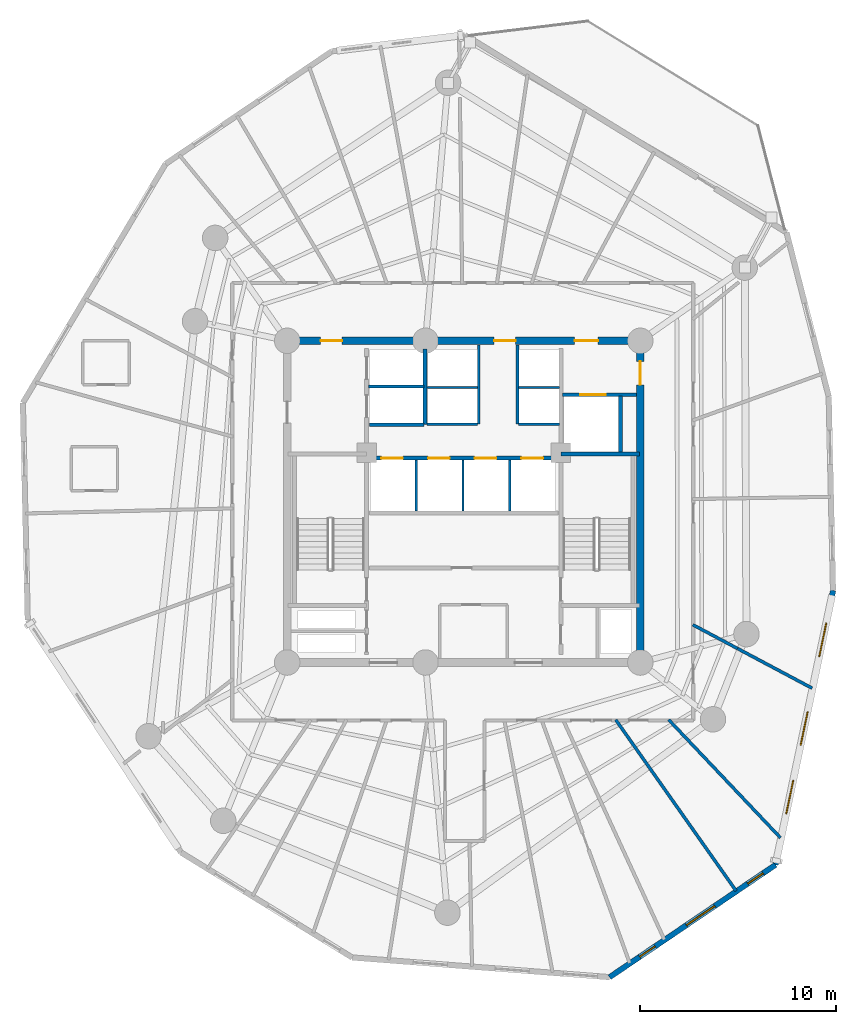
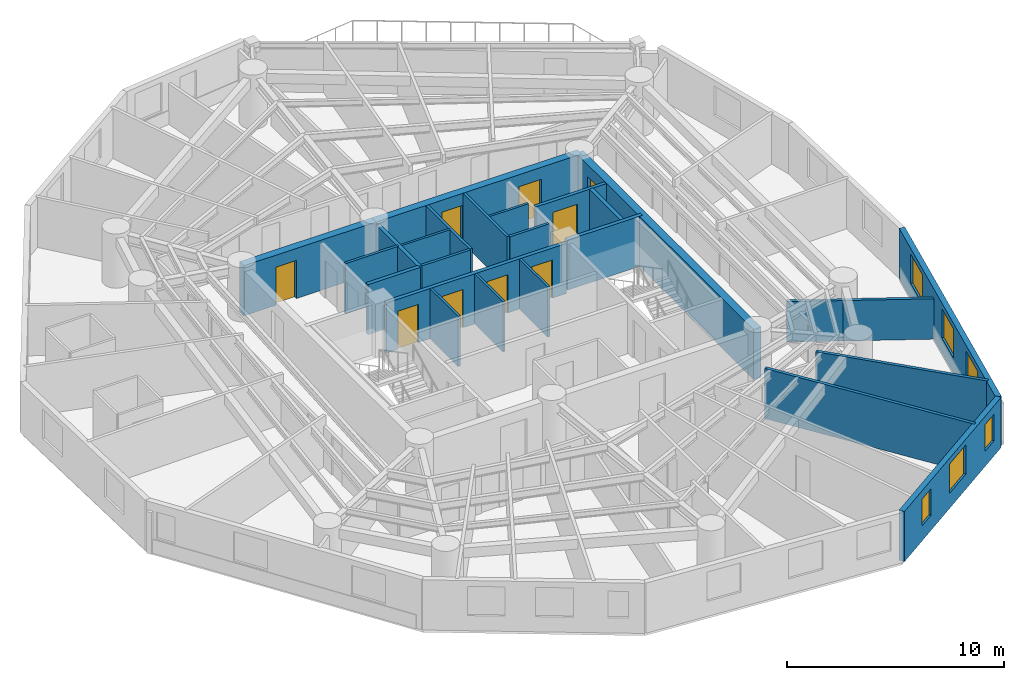
# One storey, part 5 of 9: 25 walls, 9 doors, 6 windows, 15 openings.
"""IFC4 building model written with IfcOpenShell, lengths in metres."""

from ifc_helpers import new_model, si_unit, direction, frame, frame_2d, origin, origin_with_axes, place, context, subcontext, project, spatial, rectangle, extrude, source, transform, mapped, material, layer, layer_set, type_object, element, fill, save


model = new_model("IFC4")

# Units and contexts
model_context = context("Model", 3, precision=1e-05, world=origin(), true_north=direction((0.0, 1.0)))
body_context = subcontext(model_context, "Body", "Model", "MODEL_VIEW")
ifc_project = project(units=[si_unit("LENGTHUNIT", "METRE"), si_unit("AREAUNIT", "SQUARE_METRE"), si_unit("VOLUMEUNIT", "CUBIC_METRE"), si_unit("PLANEANGLEUNIT", "RADIAN"), si_unit("MASSUNIT", "GRAM", prefix="KILO")], contexts=[model_context])

# Site, building, storey
site_placement = place(None, origin())
site = spatial("IfcSite", under=ifc_project, at=site_placement, CompositionType="ELEMENT")
building_placement = place(site_placement, origin())
building = spatial("IfcBuilding", under=site, at=building_placement, Name="Karkom Vertical University and Central Library", CompositionType="ELEMENT")
storey_placement = place(building_placement, frame((0.0, 0.0, 190.10009765625)))
storey = spatial("IfcBuildingStorey", under=building, at=storey_placement, Name="L55", CompositionType="ELEMENT", Elevation=190.10009765625)

# Wall, openings, windows
ifc_material_1 = material(Name="Brick-faced precast concrete C45/55", Category="masonry")
ifc_layer_1 = layer(ifc_material_1, 0.280029296875)
ifc_layer_set_1 = layer_set([ifc_layer_1], Name="Brick-faced precast concrete C45/55")
wall_type_1 = type_object("IfcWallType", Name="ENV-WL-BRK-280", PredefinedType="SOLIDWALL", material=ifc_layer_set_1)
wall_1_placement = place(storey_placement, frame((35.930419921875, 2.2578125, 0.0), z_axis=(0.0, 0.0, 1.0), x_axis=(0.828047519761, 0.560657921569, 0.0)))
wall_1 = element("IfcWall", 1, at=wall_1_placement, inside=storey, type_object=wall_type_1, Name="Level 55 Brick-Faced Precast Facade Wall 04", PredefinedType="SOLIDWALL", context=body_context, shape_type="SweptSolid", body=[
    extrude(rectangle(XDim=10.217041015625, YDim=0.280029296875, at=frame_2d((5.1083984375, 0.0))), origin(), (0.0, 0.0, 1.0), 2.824951171875),
])
opening_1_placement = place(wall_1_placement, frame((1.85546875, 0.0, 0.85009765625)))
opening_1 = element("IfcOpeningElement", 2, at=opening_1_placement, cuts=wall_1, Name="Opening WN-12", PredefinedType="OPENING", context=body_context, shape_type="SweptSolid", body=[
    extrude(rectangle(XDim=0.949951171875, YDim=1.5, at=frame_2d((0.47509765625, 0.75))), frame((0.0, 0.14990234375, 0.0), z_axis=(0.0, -1.0, 0.0), x_axis=(1.0, 0.0, 0.0)), (0.0, 0.0, 1.0), 0.300048828125),
])
opening_2_placement = place(wall_1_placement, frame((4.72802734375, 0.0, 0.85009765625)))
opening_2 = element("IfcOpeningElement", 3, at=opening_2_placement, cuts=wall_1, Name="Opening WN-08", PredefinedType="OPENING", context=body_context, shape_type="SweptSolid", body=[
    extrude(rectangle(XDim=1.75, YDim=1.64990234375, at=frame_2d((0.875, 0.824951171875))), frame((0.0, 0.14990234375, 0.0), z_axis=(0.0, -1.0, 0.0), x_axis=(1.0, 0.0, 0.0)), (0.0, 0.0, 1.0), 0.300048828125),
])
opening_3_placement = place(wall_1_placement, frame((8.508544921875, 0.0, 0.85009765625)))
opening_3 = element("IfcOpeningElement", 4, at=opening_3_placement, cuts=wall_1, Name="Opening WN-12", PredefinedType="OPENING", context=body_context, shape_type="SweptSolid", body=[
    extrude(rectangle(XDim=0.949951171875, YDim=1.5, at=frame_2d((0.47509765625, 0.75))), frame((0.0, 0.14990234375, 0.0), z_axis=(0.0, -1.0, 0.0), x_axis=(1.0, 0.0, 0.0)), (0.0, 0.0, 1.0), 0.300048828125),
])
ifc_material_2 = material(Name="Aluminium thermal-break frame with solar-control IGU", Category="aluminium")
window_type_1 = type_object("IfcWindowType", Name="ENV-WIN-WN-12", PartitioningType="SINGLE_PANEL", PredefinedType="WINDOW", material=ifc_material_2)
shared_shape_1 = source(origin_with_axes(), body_context, "Body", "SweptSolid", [
    extrude(rectangle(XDim=0.949951171875, YDim=1.5, at=frame_2d((0.47509765625, 0.75))), frame((0.0, 0.030029296875, 0.0), z_axis=(0.0, -1.0, 0.0), x_axis=(1.0, 0.0, 0.0)), (0.0, 0.0, 1.0), 0.06005859375),
])
window_1_placement = place(opening_1_placement, origin())
window_1 = element("IfcWindow", 5, at=window_1_placement, inside=storey, type_object=window_type_1, Name="Level 55 Punched Window 4.1", OverallHeight=1.5, OverallWidth=0.949951171875, PartitioningType="SINGLE_PANEL", PredefinedType="WINDOW", context=body_context, shape_type="MappedRepresentation", body=[
    mapped(shared_shape_1, transform((0.0, 0.0, 0.0), scale=1.0)),
])
fill(opening_1, window_1)
window_2_placement = place(opening_3_placement, origin())
window_2 = element("IfcWindow", 6, at=window_2_placement, inside=storey, type_object=window_type_1, Name="Level 55 Punched Window 4.3", OverallHeight=1.5, OverallWidth=0.949951171875, PartitioningType="SINGLE_PANEL", PredefinedType="WINDOW", context=body_context, shape_type="MappedRepresentation", body=[
    mapped(shared_shape_1, transform((0.0, 0.0, 0.0), scale=1.0)),
])
fill(opening_3, window_2)
window_type_2 = type_object("IfcWindowType", Name="ENV-WIN-WN-08", PartitioningType="SINGLE_PANEL", PredefinedType="WINDOW", material=ifc_material_2)
shared_shape_2 = source(origin_with_axes(), body_context, "Body", "SweptSolid", [
    extrude(rectangle(XDim=1.75, YDim=1.64990234375, at=frame_2d((0.875, 0.824951171875))), frame((0.0, 0.030029296875, 0.0), z_axis=(0.0, -1.0, 0.0), x_axis=(1.0, 0.0, 0.0)), (0.0, 0.0, 1.0), 0.06005859375),
])
window_3_placement = place(opening_2_placement, origin())
window_3 = element("IfcWindow", 7, at=window_3_placement, inside=storey, type_object=window_type_2, Name="Level 55 Punched Window 4.2", OverallHeight=1.64990234375, OverallWidth=1.75, PartitioningType="SINGLE_PANEL", PredefinedType="WINDOW", context=body_context, shape_type="MappedRepresentation", body=[
    mapped(shared_shape_2, transform((0.0, 0.0, 0.0), scale=1.0)),
])
fill(opening_2, window_3)

wall_2_placement = place(storey_placement, frame((44.390625, 7.986083984375, 0.0), z_axis=(0.0, 0.0, 1.0), x_axis=(0.205520669539, 0.978652775193, 0.0)))
wall_2 = element("IfcWall", 8, at=wall_2_placement, inside=storey, type_object=wall_type_1, Name="Level 55 Brick-Faced Precast Facade Wall 05", PredefinedType="SOLIDWALL", context=body_context, shape_type="SweptSolid", body=[
    extrude(rectangle(XDim=14.294189453125, YDim=0.280029296875, at=frame_2d((7.14697265625, 0.0))), origin(), (0.0, 0.0, 1.0), 2.824951171875),
])
opening_4_placement = place(wall_2_placement, frame((2.654052734375, 0.0, 0.85009765625)))
opening_4 = element("IfcOpeningElement", 9, at=opening_4_placement, cuts=wall_2, Name="Opening WN-08", PredefinedType="OPENING", context=body_context, shape_type="SweptSolid", body=[
    extrude(rectangle(XDim=1.75, YDim=1.64990234375, at=frame_2d((0.875, 0.824951171875))), frame((0.0, 0.14990234375, 0.0), z_axis=(0.0, -1.0, 0.0), x_axis=(1.0, 0.0, 0.0)), (0.0, 0.0, 1.0), 0.300048828125),
])
opening_5_placement = place(wall_2_placement, frame((6.226318359375, 0.0, 0.85009765625)))
opening_5 = element("IfcOpeningElement", 10, at=opening_5_placement, cuts=wall_2, Name="Opening WN-08", PredefinedType="OPENING", context=body_context, shape_type="SweptSolid", body=[
    extrude(rectangle(XDim=1.75, YDim=1.64990234375, at=frame_2d((0.875, 0.824951171875))), frame((0.0, 0.14990234375, 0.0), z_axis=(0.0, -1.0, 0.0), x_axis=(1.0, 0.0, 0.0)), (0.0, 0.0, 1.0), 0.300048828125),
])
opening_6_placement = place(wall_2_placement, frame((10.845703125, 0.0, 0.85009765625)))
opening_6 = element("IfcOpeningElement", 11, at=opening_6_placement, cuts=wall_2, Name="Opening WN-08", PredefinedType="OPENING", context=body_context, shape_type="SweptSolid", body=[
    extrude(rectangle(XDim=1.75, YDim=1.64990234375, at=frame_2d((0.875, 0.824951171875))), frame((0.0, 0.14990234375, 0.0), z_axis=(0.0, -1.0, 0.0), x_axis=(1.0, 0.0, 0.0)), (0.0, 0.0, 1.0), 0.300048828125),
])
window_4_placement = place(opening_4_placement, origin())
window_4 = element("IfcWindow", 12, at=window_4_placement, inside=storey, type_object=window_type_2, Name="Level 55 Punched Window 5.1", OverallHeight=1.64990234375, OverallWidth=1.75, PartitioningType="SINGLE_PANEL", PredefinedType="WINDOW", context=body_context, shape_type="MappedRepresentation", body=[
    mapped(shared_shape_2, transform((0.0, 0.0, 0.0), scale=1.0)),
])
fill(opening_4, window_4)
window_5_placement = place(opening_5_placement, origin())
window_5 = element("IfcWindow", 13, at=window_5_placement, inside=storey, type_object=window_type_2, Name="Level 55 Punched Window 5.2", OverallHeight=1.64990234375, OverallWidth=1.75, PartitioningType="SINGLE_PANEL", PredefinedType="WINDOW", context=body_context, shape_type="MappedRepresentation", body=[
    mapped(shared_shape_2, transform((0.0, 0.0, 0.0), scale=1.0)),
])
fill(opening_5, window_5)
window_6_placement = place(opening_6_placement, origin())
window_6 = element("IfcWindow", 14, at=window_6_placement, inside=storey, type_object=window_type_2, Name="Level 55 Punched Window 5.3", OverallHeight=1.64990234375, OverallWidth=1.75, PartitioningType="SINGLE_PANEL", PredefinedType="WINDOW", context=body_context, shape_type="MappedRepresentation", body=[
    mapped(shared_shape_2, transform((0.0, 0.0, 0.0), scale=1.0)),
])
fill(opening_6, window_6)

# Walls
ifc_material_3 = material(Name="Insulated metal-stud drywall 160mm", Category="gypsum")
ifc_layer_2 = layer(ifc_material_3, 0.159912109375)
ifc_layer_set_2 = layer_set([ifc_layer_2], Name="Insulated metal-stud drywall 160mm")
wall_type_2 = type_object("IfcWallType", Name="INT-WL-COR-160", PredefinedType="PARTITIONING", material=ifc_layer_set_2)
wall_3_placement = place(storey_placement, frame((36.243896484375, 15.38671875, 0.0), z_axis=(0.0, 0.0, 1.0), x_axis=(0.575352301444, -0.817905697023, 0.0)))
element("IfcWall", 15, at=wall_3_placement, inside=storey, type_object=wall_type_2, Name="Level 55 Interior Partition Wall L55-PW-015", PredefinedType="PARTITIONING", context=body_context, shape_type="SweptSolid", body=[
    extrude(rectangle(XDim=10.67236328125, YDim=0.159912109375, at=frame_2d((5.336181640625, 0.0))), origin(), (0.0, 0.0, 1.0), 2.824951171875),
])
wall_4_placement = place(storey_placement, frame((38.94580078125, 15.3828125, 0.0), z_axis=(0.0, 0.0, 1.0), x_axis=(0.687604884765, -0.726085065572, 0.0)))
element("IfcWall", 16, at=wall_4_placement, inside=storey, type_object=wall_type_2, Name="Level 55 Interior Partition Wall L55-PW-016", PredefinedType="PARTITIONING", context=body_context, shape_type="SweptSolid", body=[
    extrude(rectangle(XDim=8.2861328125, YDim=0.159912109375, at=frame_2d((4.14306640625, 0.0))), origin(), (0.0, 0.0, 1.0), 2.824951171875),
])
wall_5_placement = place(storey_placement, frame((42.462158203125, 19.009033203125, 0.0), z_axis=(0.0, 0.0, 1.0), x_axis=(0.882970667498, -0.469428163128, 0.0)))
element("IfcWall", 17, at=wall_5_placement, inside=storey, type_object=wall_type_2, Name="Level 55 Interior Partition Wall L55-PW-018", PredefinedType="PARTITIONING", context=body_context, shape_type="SweptSolid", body=[
    extrude(rectangle(XDim=4.294189453125, YDim=0.159912109375, at=frame_2d((2.14697265625, 0.0))), origin(), (0.0, 0.0, 1.0), 2.27490234375),
])
wall_6_placement = place(storey_placement, frame((40.173583984375, 20.225830078125, 0.0), z_axis=(0.0, 0.0, 1.0), x_axis=(0.882934818084, -0.469495587855, 0.0)))
element("IfcWall", 18, at=wall_6_placement, inside=storey, type_object=wall_type_2, Name="Level 55 Interior Partition Wall L55-PW-017", PredefinedType="PARTITIONING", context=body_context, shape_type="SweptSolid", body=[
    extrude(rectangle(XDim=2.5869140625, YDim=0.159912109375, at=frame_2d((1.29345703125, 0.0))), origin(), (0.0, 0.0, 1.0), 2.27490234375),
])
ifc_material_4 = material(Name="Moisture-resistant drywall 120mm", Category="gypsum")
ifc_layer_3 = layer(ifc_material_4, 0.1201171875)
ifc_layer_set_3 = layer_set([ifc_layer_3], Name="Moisture-resistant drywall 120mm")
wall_type_3 = type_object("IfcWallType", Name="INT-WL-INT-120H", PredefinedType="PARTITIONING", material=ifc_layer_set_3)
for number, where, z_axis, x_axis, name in (
    (19, (26.080078125, 26.02001953125, 0.0), (0.0, 0.0, 1.0), (0.0, 1.0, 0.0), "Level 55 Interior Partition Wall L55-CW-PM-DIV1"),
    (20, (28.4599609375, 26.02001953125, 0.0), (0.0, 0.0, 1.0), (0.0, 1.0, 0.0), "Level 55 Interior Partition Wall L55-CW-PM-DIV2"),
    (21, (30.840087890625, 26.02001953125, 0.0), (0.0, 0.0, 1.0), (0.0, 1.0, 0.0), "Level 55 Interior Partition Wall L55-CW-PM-DIV3"),
):
    element("IfcWall", number, at=place(storey_placement, frame(where, z_axis=z_axis, x_axis=x_axis)), inside=storey, type_object=wall_type_3, Name=name, PredefinedType="PARTITIONING", context=body_context, shape_type="SweptSolid", body=[
        extrude(rectangle(XDim=2.60009765625, YDim=0.1201171875, at=frame_2d((1.300048828125, 0.0))), origin(), (0.0, 0.0, 1.0), 2.824951171875),
    ])
wall_7_placement = place(storey_placement, frame((26.6201171875, 32.320068359375, 0.0), z_axis=(0.0, 0.0, 1.0), x_axis=(1.0, 0.0, 0.0)))
element("IfcWall", 22, at=wall_7_placement, inside=storey, type_object=wall_type_3, Name="Level 55 Interior Partition Wall L55-CW-PH-MW", PredefinedType="PARTITIONING", context=body_context, shape_type="SweptSolid", body=[
    extrude(rectangle(XDim=2.579833984375, YDim=0.1201171875, at=frame_2d((1.2900390625, 0.0))), origin(), (0.0, 0.0, 1.0), 2.824951171875),
])
wall_8_placement = place(storey_placement, frame((31.300048828125, 32.320068359375, 0.0), z_axis=(0.0, 0.0, 1.0), x_axis=(1.0, 0.0, 0.0)))
element("IfcWall", 23, at=wall_8_placement, inside=storey, type_object=wall_type_3, Name="Level 55 Interior Partition Wall L55-CW-PH-ME", PredefinedType="PARTITIONING", context=body_context, shape_type="SweptSolid", body=[
    extrude(rectangle(XDim=2.074951171875, YDim=0.1201171875, at=frame_2d((1.03759765625, 0.0))), origin(), (0.0, 0.0, 1.0), 2.824951171875),
])
ifc_material_5 = material(Name="Metal-stud gypsum partition 140mm", Category="gypsum")
ifc_layer_4 = layer(ifc_material_5, 0.139892578125)
ifc_layer_set_4 = layer_set([ifc_layer_4], Name="Metal-stud gypsum partition 140mm")
wall_type_4 = type_object("IfcWallType", Name="INT-WL-SUB-140H", PredefinedType="PARTITIONING", material=ifc_layer_set_4)
for number, where, z_axis, x_axis, name in (
    (24, (29.260009765625, 30.449951171875, 0.0), (0.0, 0.0, 1.0), (0.0, 1.0, 0.0), "Level 55 Interior Partition Wall L55-CW-PH-W"),
    (25, (31.239990234375, 30.449951171875, 0.0), (0.0, 0.0, 1.0), (0.0, 1.0, 0.0), "Level 55 Interior Partition Wall L55-CW-PH-E"),
):
    element("IfcWall", number, at=place(storey_placement, frame(where, z_axis=z_axis, x_axis=x_axis)), inside=storey, type_object=wall_type_4, Name=name, PredefinedType="PARTITIONING", context=body_context, shape_type="SweptSolid", body=[
        extrude(rectangle(XDim=4.04296875, YDim=0.139892578125, at=frame_2d((2.021484375, 0.0))), origin(), (0.0, 0.0, 1.0), 2.824951171875),
    ])
wall_9_placement = place(storey_placement, frame((26.6201171875, 30.449951171875, 0.0), z_axis=(0.0, 0.0, 1.0), x_axis=(1.0, 0.0, 0.0)))
element("IfcWall", 26, at=wall_9_placement, inside=storey, type_object=wall_type_4, Name="Level 55 Interior Partition Wall L55-CW-PH-S1", PredefinedType="PARTITIONING", context=body_context, shape_type="SweptSolid", body=[
    extrude(rectangle(XDim=2.579833984375, YDim=0.139892578125, at=frame_2d((1.2900390625, 0.0))), origin(), (0.0, 0.0, 1.0), 2.824951171875),
])
wall_10_placement = place(storey_placement, frame((31.300048828125, 30.449951171875, 0.0), z_axis=(0.0, 0.0, 1.0), x_axis=(1.0, 0.0, 0.0)))
element("IfcWall", 27, at=wall_10_placement, inside=storey, type_object=wall_type_4, Name="Level 55 Interior Partition Wall L55-CW-PH-S2", PredefinedType="PARTITIONING", context=body_context, shape_type="SweptSolid", body=[
    extrude(rectangle(XDim=2.074951171875, YDim=0.139892578125, at=frame_2d((1.03759765625, 0.0))), origin(), (0.0, 0.0, 1.0), 2.824951171875),
])
ifc_layer_5 = layer(ifc_material_5, 0.139892578125)
ifc_layer_set_5 = layer_set([ifc_layer_5], Name="Metal-stud gypsum partition 140mm")
wall_type_5 = type_object("IfcWallType", Name="INT-WL-SUB-140X", PredefinedType="PARTITIONING", material=ifc_layer_set_5)
wall_11_placement = place(storey_placement, frame((23.652099609375, 32.3701171875, 0.0), z_axis=(0.0, 0.0, 1.0), x_axis=(1.0, 0.0, 0.0)))
element("IfcWall", 28, at=wall_11_placement, inside=storey, type_object=wall_type_5, Name="Level 55 Interior Partition Wall L55-CW-FFL-M", PredefinedType="PARTITIONING", context=body_context, shape_type="SweptSolid", body=[
    extrude(rectangle(XDim=2.827880859375, YDim=0.139892578125, at=frame_2d((1.4140625, 0.0))), origin(), (0.0, 0.0, 1.0), 2.824951171875),
])

# Wall, opening, door
ifc_material_6 = material(Name="Twin-stud acoustic drywall 180mm", Category="gypsum")
ifc_layer_6 = layer(ifc_material_6, 0.179931640625)
ifc_layer_set_6 = layer_set([ifc_layer_6], Name="Twin-stud acoustic drywall 180mm")
wall_type_6 = type_object("IfcWallType", Name="INT-WL-TEN-180F", PredefinedType="PARTITIONING", material=ifc_layer_set_6)
wall_12_placement = place(storey_placement, frame((33.534912109375, 31.949951171875, 0.0), z_axis=(0.0, 0.0, 1.0), x_axis=(1.0, 0.0, 0.0)))
wall_12 = element("IfcWall", 29, at=wall_12_placement, inside=storey, type_object=wall_type_6, Name="Level 55 Interior Partition Wall L55-CW-SVL-N", PredefinedType="PARTITIONING", context=body_context, shape_type="SweptSolid", body=[
    extrude(rectangle(XDim=3.7587890625, YDim=0.179931640625, at=frame_2d((1.87939453125, 0.0))), origin(), (0.0, 0.0, 1.0), 2.824951171875),
])
opening_7_placement = place(wall_12_placement, frame((0.89990234375, 0.0, 0.0)))
opening_7 = element("IfcOpeningElement", 30, at=opening_7_placement, cuts=wall_12, Name="Opening LD-SV1", PredefinedType="OPENING", context=body_context, shape_type="SweptSolid", body=[
    extrude(rectangle(XDim=1.300048828125, YDim=2.199951171875, at=frame_2d((0.64990234375, 1.10009765625))), frame((0.0, 0.10009765625, 0.0), z_axis=(0.0, -1.0, 0.0), x_axis=(1.0, 0.0, 0.0)), (0.0, 0.0, 1.0), 0.199951171875),
])
ifc_material_7 = material(Name="Brushed stainless-steel landing door", Category="steel")
door_type_1 = type_object("IfcDoorType", Name="INT-DR-LD-SV1", OperationType="SLIDING_TO_LEFT", PredefinedType="DOOR", material=ifc_material_7)
shared_shape_3 = source(origin_with_axes(), body_context, "Body", "SweptSolid", [
    extrude(rectangle(XDim=1.300048828125, YDim=2.199951171875, at=frame_2d((0.64990234375, 1.10009765625))), frame((0.0, 0.02490234375, 0.0), z_axis=(0.0, -1.0, 0.0), x_axis=(1.0, 0.0, 0.0)), (0.0, 0.0, 1.0), 0.050048828125),
])
door_1_placement = place(opening_7_placement, origin())
door_1 = element("IfcDoor", 31, at=door_1_placement, inside=storey, type_object=door_type_1, Name="Level 55 Service Lift Landing Door LD-SV1", OperationType="SLIDING_TO_LEFT", OverallHeight=2.199951171875, OverallWidth=1.300048828125, PredefinedType="DOOR", context=body_context, shape_type="MappedRepresentation", body=[
    mapped(shared_shape_3, transform((0.0, 0.0, 0.0), scale=1.0)),
])
fill(opening_7, door_1)

ifc_material_8 = material(Name="Concrete C50/60", Category="concrete")
ifc_layer_7 = layer(ifc_material_8, 0.39990234375)
ifc_layer_set_7 = layer_set([ifc_layer_7], Name="Concrete C50/60")
wall_type_7 = type_object("IfcWallType", Name="STR-WL-CW-400", PredefinedType="SHEAR", material=ifc_layer_set_7)
wall_13_placement = place(storey_placement, frame((37.5, 18.300048828125, 0.0), z_axis=(0.0, 0.0, 1.0), x_axis=(0.0, 1.0, 0.0)))
wall_13 = element("IfcWall", 32, at=wall_13_placement, inside=storey, type_object=wall_type_7, Name="Level 55 Central Core Shear Wall EW", PredefinedType="SHEAR", context=body_context, shape_type="SweptSolid", body=[
    extrude(rectangle(XDim=16.39990234375, YDim=0.39990234375, at=frame_2d((8.199951171875, 0.0))), origin(), (0.0, 0.0, 1.0), 2.824951171875),
])
opening_8_placement = place(wall_13_placement, frame((14.14990234375, 0.0, 0.0)))
opening_8 = element("IfcOpeningElement", 33, at=opening_8_placement, cuts=wall_13, Name="Opening FD-SUB1", PredefinedType="OPENING", context=body_context, shape_type="SweptSolid", body=[
    extrude(rectangle(XDim=1.199951171875, YDim=2.14990234375, at=frame_2d((0.60009765625, 1.074951171875))), frame((0.0, 0.2099609375, 0.0), z_axis=(0.0, -1.0, 0.0), x_axis=(1.0, 0.0, 0.0)), (0.0, 0.0, 1.0), 0.419921875),
])
ifc_material_9 = material(Name="Painted steel fire door", Category="steel")
door_type_2 = type_object("IfcDoorType", Name="INT-DR-SUB1", OperationType="NOTDEFINED", PredefinedType="DOOR", material=ifc_material_9)
shared_shape_4 = source(origin_with_axes(), body_context, "Body", "SweptSolid", [
    extrude(rectangle(XDim=1.199951171875, YDim=2.14990234375, at=frame_2d((0.60009765625, 1.074951171875))), frame((0.0, 0.02490234375, 0.0), z_axis=(0.0, -1.0, 0.0), x_axis=(1.0, 0.0, 0.0)), (0.0, 0.0, 1.0), 0.050048828125),
])
door_2_placement = place(opening_8_placement, origin())
door_2 = element("IfcDoor", 34, at=door_2_placement, inside=storey, type_object=door_type_2, Name="Level 55 East Corridor Service Lobby Door", OperationType="SINGLE_SWING_RIGHT", OverallHeight=2.14990234375, OverallWidth=1.199951171875, PredefinedType="DOOR", context=body_context, shape_type="MappedRepresentation", body=[
    mapped(shared_shape_4, transform((0.0, 0.0, 0.0), scale=1.0)),
])
fill(opening_8, door_2)

# Wall, openings, doors
wall_14_placement = place(storey_placement, frame((37.5, 34.699951171875, 0.0), z_axis=(0.0, 0.0, 1.0), x_axis=(-1.0, 0.0, 0.0)))
wall_14 = element("IfcWall", 35, at=wall_14_placement, inside=storey, type_object=wall_type_7, Name="Level 55 Central Core Shear Wall NW1", PredefinedType="SHEAR", context=body_context, shape_type="SweptSolid", body=[
    extrude(rectangle(XDim=10.949951171875, YDim=0.39990234375, at=frame_2d((5.47509765625, 0.0))), origin(), (0.0, 0.0, 1.0), 2.824951171875),
])
opening_9_placement = place(wall_14_placement, frame((2.14990234375, 0.0, 0.0)))
opening_9 = element("IfcOpeningElement", 36, at=opening_9_placement, cuts=wall_14, Name="Opening FD-SUB1", PredefinedType="OPENING", context=body_context, shape_type="SweptSolid", body=[
    extrude(rectangle(XDim=1.199951171875, YDim=2.14990234375, at=frame_2d((0.60009765625, 1.074951171875))), frame((0.0, 0.2099609375, 0.0), z_axis=(0.0, -1.0, 0.0), x_axis=(1.0, 0.0, 0.0)), (0.0, 0.0, 1.0), 0.419921875),
])
opening_10_placement = place(wall_14_placement, frame((6.35009765625, 0.0, 0.0)))
opening_10 = element("IfcOpeningElement", 37, at=opening_10_placement, cuts=wall_14, Name="Opening FD-FFL", PredefinedType="OPENING", context=body_context, shape_type="SweptSolid", body=[
    extrude(rectangle(XDim=1.10009765625, YDim=2.14990234375, at=frame_2d((0.550048828125, 1.074951171875))), frame((0.0, 0.2099609375, 0.0), z_axis=(0.0, -1.0, 0.0), x_axis=(1.0, 0.0, 0.0)), (0.0, 0.0, 1.0), 0.419921875),
])
ifc_material_10 = material(Name="Painted steel smoke-seal fire door", Category="steel")
door_type_3 = type_object("IfcDoorType", Name="INT-DR-FFL", OperationType="NOTDEFINED", PredefinedType="DOOR", material=ifc_material_10)
shared_shape_5 = source(origin_with_axes(), body_context, "Body", "SweptSolid", [
    extrude(rectangle(XDim=1.10009765625, YDim=2.14990234375, at=frame_2d((0.550048828125, 1.074951171875))), frame((0.0, 0.02490234375, 0.0), z_axis=(0.0, -1.0, 0.0), x_axis=(1.0, 0.0, 0.0)), (0.0, 0.0, 1.0), 0.050048828125),
])
door_3_placement = place(opening_10_placement, origin())
door_3 = element("IfcDoor", 38, at=door_3_placement, inside=storey, type_object=door_type_3, Name="Level 55 North Core Lobby Exit Door", OperationType="SINGLE_SWING_LEFT", OverallHeight=2.14990234375, OverallWidth=1.10009765625, PredefinedType="DOOR", context=body_context, shape_type="MappedRepresentation", body=[
    mapped(shared_shape_5, transform((0.0, 0.0, 0.0), scale=1.0)),
])
fill(opening_10, door_3)
door_4_placement = place(opening_9_placement, origin())
door_4 = element("IfcDoor", 39, at=door_4_placement, inside=storey, type_object=door_type_2, Name="Level 55 Service Lobby Fire Door", OperationType="SINGLE_SWING_LEFT", OverallHeight=2.14990234375, OverallWidth=1.199951171875, PredefinedType="DOOR", context=body_context, shape_type="MappedRepresentation", body=[
    mapped(shared_shape_4, transform((0.0, 0.0, 0.0), scale=1.0)),
])
fill(opening_9, door_4)

# Wall, opening, door
wall_15_placement = place(storey_placement, frame((26.550048828125, 34.699951171875, 0.0), z_axis=(0.0, 0.0, 1.0), x_axis=(-1.0, 0.0, 0.0)))
wall_15 = element("IfcWall", 40, at=wall_15_placement, inside=storey, type_object=wall_type_7, Name="Level 55 Central Core Shear Wall NW2", PredefinedType="SHEAR", context=body_context, shape_type="SweptSolid", body=[
    extrude(rectangle(XDim=7.050048828125, YDim=0.39990234375, at=frame_2d((3.52490234375, 0.0))), origin(), (0.0, 0.0, 1.0), 2.824951171875),
])
opening_11_placement = place(wall_15_placement, frame((4.25, 0.0, 0.0)))
opening_11 = element("IfcOpeningElement", 41, at=opening_11_placement, cuts=wall_15, Name="Opening FD-FFL", PredefinedType="OPENING", context=body_context, shape_type="SweptSolid", body=[
    extrude(rectangle(XDim=1.10009765625, YDim=2.14990234375, at=frame_2d((0.550048828125, 1.074951171875))), frame((0.0, 0.2099609375, 0.0), z_axis=(0.0, -1.0, 0.0), x_axis=(1.0, 0.0, 0.0)), (0.0, 0.0, 1.0), 0.419921875),
])
door_5_placement = place(opening_11_placement, origin())
door_5 = element("IfcDoor", 42, at=door_5_placement, inside=storey, type_object=door_type_3, Name="Level 55 Firefighting Lobby Door", OperationType="SINGLE_SWING_RIGHT", OverallHeight=2.14990234375, OverallWidth=1.10009765625, PredefinedType="DOOR", context=body_context, shape_type="MappedRepresentation", body=[
    mapped(shared_shape_5, transform((0.0, 0.0, 0.0), scale=1.0)),
])
fill(opening_11, door_5)

# Wall, openings, doors
ifc_material_11 = material(Name="Concrete C45/55", Category="concrete")
ifc_layer_8 = layer(ifc_material_11, 0.199951171875)
ifc_layer_set_8 = layer_set([ifc_layer_8], Name="Concrete C45/55")
wall_type_8 = type_object("IfcWallType", Name="STR-WL-ST-200", PredefinedType="SHEAR", material=ifc_layer_set_8)
wall_16_placement = place(storey_placement, frame((23.699951171875, 28.719970703125, 0.0), z_axis=(0.0, 0.0, 1.0), x_axis=(1.0, 0.0, 0.0)))
wall_16 = element("IfcWall", 43, at=wall_16_placement, inside=storey, type_object=wall_type_8, Name="Level 55 Core Shaft Wall L55-CW-B2-N", PredefinedType="SHEAR", context=body_context, shape_type="SweptSolid", body=[
    extrude(rectangle(XDim=9.60009765625, YDim=0.199951171875, at=frame_2d((4.800048828125, 0.0))), origin(), (0.0, 0.0, 1.0), 2.824951171875),
])
opening_12_placement = place(wall_16_placement, frame((0.60009765625, 0.0, 0.0)))
opening_12 = element("IfcOpeningElement", 44, at=opening_12_placement, cuts=wall_16, Name="Opening LD-PAX", PredefinedType="OPENING", context=body_context, shape_type="SweptSolid", body=[
    extrude(rectangle(XDim=1.10009765625, YDim=2.14990234375, at=frame_2d((0.550048828125, 1.074951171875))), frame((0.0, 0.10986328125, 0.0), z_axis=(0.0, -1.0, 0.0), x_axis=(1.0, 0.0, 0.0)), (0.0, 0.0, 1.0), 0.219970703125),
])
opening_13_placement = place(wall_16_placement, frame((2.97998046875, 0.0, 0.0)))
opening_13 = element("IfcOpeningElement", 45, at=opening_13_placement, cuts=wall_16, Name="Opening LD-PAX", PredefinedType="OPENING", context=body_context, shape_type="SweptSolid", body=[
    extrude(rectangle(XDim=1.10009765625, YDim=2.14990234375, at=frame_2d((0.550048828125, 1.074951171875))), frame((0.0, 0.10986328125, 0.0), z_axis=(0.0, -1.0, 0.0), x_axis=(1.0, 0.0, 0.0)), (0.0, 0.0, 1.0), 0.219970703125),
])
opening_14_placement = place(wall_16_placement, frame((5.360107421875, 0.0, 0.0)))
opening_14 = element("IfcOpeningElement", 46, at=opening_14_placement, cuts=wall_16, Name="Opening LD-PAX", PredefinedType="OPENING", context=body_context, shape_type="SweptSolid", body=[
    extrude(rectangle(XDim=1.10009765625, YDim=2.14990234375, at=frame_2d((0.550048828125, 1.074951171875))), frame((0.0, 0.10986328125, 0.0), z_axis=(0.0, -1.0, 0.0), x_axis=(1.0, 0.0, 0.0)), (0.0, 0.0, 1.0), 0.219970703125),
])
opening_15_placement = place(wall_16_placement, frame((7.739990234375, 0.0, 0.0)))
opening_15 = element("IfcOpeningElement", 47, at=opening_15_placement, cuts=wall_16, Name="Opening LD-PAX", PredefinedType="OPENING", context=body_context, shape_type="SweptSolid", body=[
    extrude(rectangle(XDim=1.10009765625, YDim=2.14990234375, at=frame_2d((0.550048828125, 1.074951171875))), frame((0.0, 0.10986328125, 0.0), z_axis=(0.0, -1.0, 0.0), x_axis=(1.0, 0.0, 0.0)), (0.0, 0.0, 1.0), 0.219970703125),
])
door_type_4 = type_object("IfcDoorType", Name="INT-DR-LD-PAX", OperationType="SLIDING_TO_LEFT", PredefinedType="DOOR", material=ifc_material_7)
door_6_placement = place(opening_12_placement, origin())
door_6 = element("IfcDoor", 48, at=door_6_placement, inside=storey, type_object=door_type_4, Name="Level 55 Lift PM-1 Landing Door", OperationType="SLIDING_TO_LEFT", OverallHeight=2.14990234375, OverallWidth=1.10009765625, PredefinedType="DOOR", context=body_context, shape_type="MappedRepresentation", body=[
    mapped(shared_shape_5, transform((0.0, 0.0, 0.0), scale=1.0)),
])
fill(opening_12, door_6)
door_7_placement = place(opening_13_placement, origin())
door_7 = element("IfcDoor", 49, at=door_7_placement, inside=storey, type_object=door_type_4, Name="Level 55 Lift PM-2 Landing Door", OperationType="SLIDING_TO_RIGHT", OverallHeight=2.14990234375, OverallWidth=1.10009765625, PredefinedType="DOOR", context=body_context, shape_type="MappedRepresentation", body=[
    mapped(shared_shape_5, transform((0.0, 0.0, 0.0), scale=1.0)),
])
fill(opening_13, door_7)
door_8_placement = place(opening_14_placement, origin())
door_8 = element("IfcDoor", 50, at=door_8_placement, inside=storey, type_object=door_type_4, Name="Level 55 Lift PM-3 Landing Door", OperationType="SLIDING_TO_LEFT", OverallHeight=2.14990234375, OverallWidth=1.10009765625, PredefinedType="DOOR", context=body_context, shape_type="MappedRepresentation", body=[
    mapped(shared_shape_5, transform((0.0, 0.0, 0.0), scale=1.0)),
])
fill(opening_14, door_8)
door_9_placement = place(opening_15_placement, origin())
door_9 = element("IfcDoor", 51, at=door_9_placement, inside=storey, type_object=door_type_4, Name="Level 55 Lift PM-4 Landing Door", OperationType="SLIDING_TO_RIGHT", OverallHeight=2.14990234375, OverallWidth=1.10009765625, PredefinedType="DOOR", context=body_context, shape_type="MappedRepresentation", body=[
    mapped(shared_shape_5, transform((0.0, 0.0, 0.0), scale=1.0)),
])
fill(opening_15, door_9)

# Walls
wall_17_placement = place(storey_placement, frame((33.455078125, 28.925048828125, 0.0), z_axis=(0.0, 0.0, 1.0), x_axis=(1.0, 0.0, 0.0)))
element("IfcWall", 52, at=wall_17_placement, inside=storey, type_object=wall_type_8, Name="Level 55 Core Shaft Wall L55-CW-ST2-N", PredefinedType="SHEAR", context=body_context, shape_type="SweptSolid", body=[
    extrude(rectangle(XDim=3.994873046875, YDim=0.199951171875, at=frame_2d((1.99755859375, 0.0))), origin(), (0.0, 0.0, 1.0), 2.824951171875),
])
wall_18_placement = place(storey_placement, frame((26.52001953125, 30.419921875, 0.0), z_axis=(0.0, 0.0, 1.0), x_axis=(0.0, 1.0, 0.0)))
element("IfcWall", 53, at=wall_18_placement, inside=storey, type_object=wall_type_8, Name="Level 55 Core Shaft Wall L55-CW-FFL-E", PredefinedType="SHEAR", context=body_context, shape_type="SweptSolid", body=[
    extrude(rectangle(XDim=3.860107421875, YDim=0.199951171875, at=frame_2d((1.93017578125, 0.0))), origin(), (0.0, 0.0, 1.0), 2.824951171875),
])
wall_19_placement = place(storey_placement, frame((36.47998046875, 29.02001953125, 0.0), z_axis=(0.0, 0.0, 1.0), x_axis=(0.0, 1.0, 0.0)))
element("IfcWall", 54, at=wall_19_placement, inside=storey, type_object=wall_type_8, Name="Level 55 Core Shaft Wall L55-CW-SVL-E", PredefinedType="SHEAR", context=body_context, shape_type="SweptSolid", body=[
    extrude(rectangle(XDim=2.85986328125, YDim=0.199951171875, at=frame_2d((1.429931640625, 0.0))), origin(), (0.0, 0.0, 1.0), 2.824951171875),
])
wall_20_placement = place(storey_placement, frame((23.699951171875, 30.419921875, 0.0), z_axis=(0.0, 0.0, 1.0), x_axis=(1.0, 0.0, 0.0)))
element("IfcWall", 55, at=wall_20_placement, inside=storey, type_object=wall_type_8, Name="Level 55 Core Shaft Wall L55-CW-FFL-S", PredefinedType="SHEAR", context=body_context, shape_type="SweptSolid", body=[
    extrude(rectangle(XDim=2.780029296875, YDim=0.199951171875, at=frame_2d((1.39013671875, 0.0))), origin(), (0.0, 0.0, 1.0), 2.824951171875),
])

save(model, "model.ifc")
